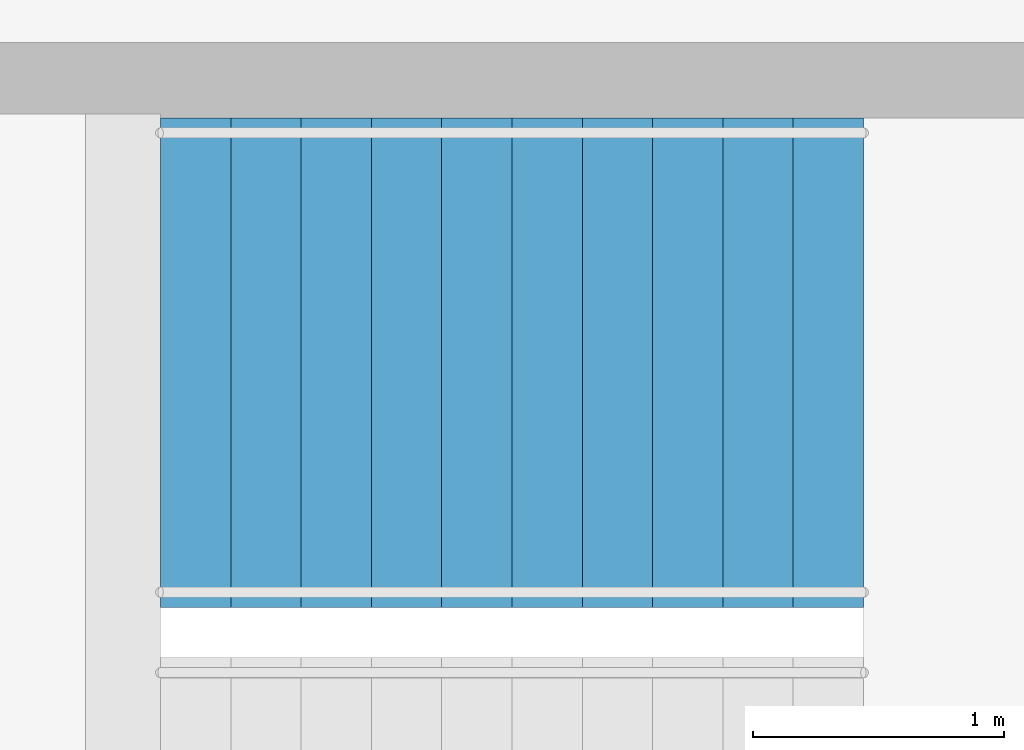
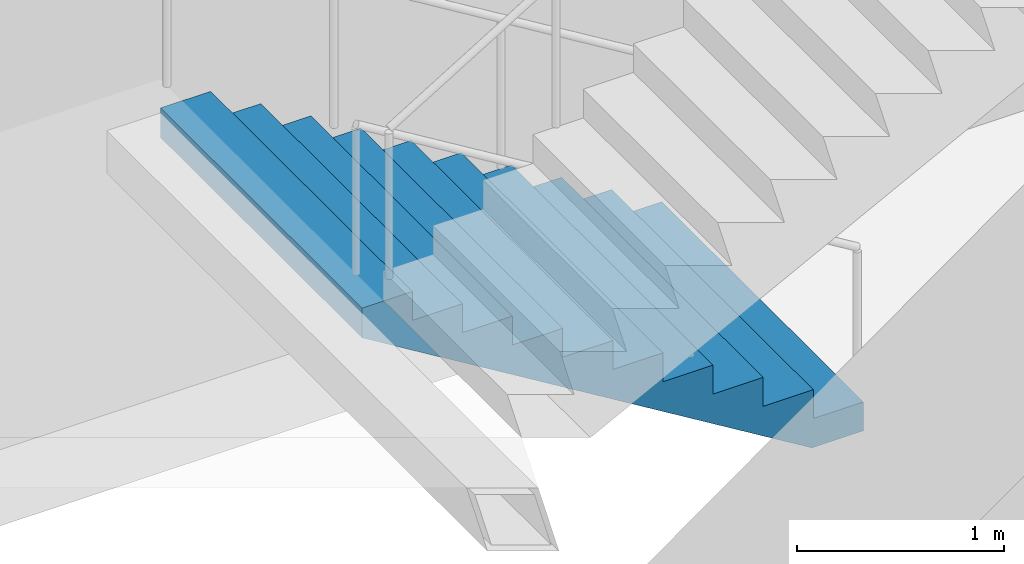
# One storey, part 23 of 26: 1 stair flight, 1 element without a shape of its own.
"""IFC4 building model written with IfcOpenShell, lengths in metres."""

from ifc_helpers import new_model, si_unit, direction, frame, origin, place, context, subcontext, project, spatial, triangles, material, type_object, element, aggregate, save


model = new_model("IFC4")

# Units and contexts
model_context = context("Model", 3, precision=1e-05, world=origin(), true_north=direction((0.0, 1.0)))
body_context = subcontext(model_context, "Body", "Model", "MODEL_VIEW")
ifc_project = project(units=[si_unit("LENGTHUNIT", "METRE"), si_unit("AREAUNIT", "SQUARE_METRE"), si_unit("VOLUMEUNIT", "CUBIC_METRE"), si_unit("PLANEANGLEUNIT", "RADIAN"), si_unit("MASSUNIT", "GRAM", prefix="KILO")], contexts=[model_context])

# Site, building, storey
site_placement = place(None, origin())
site = spatial("IfcSite", under=ifc_project, at=site_placement, CompositionType="ELEMENT")
building_placement = place(site_placement, origin())
building = spatial("IfcBuilding", under=site, at=building_placement, Name="Orbita Commons", CompositionType="ELEMENT")
storey_placement = place(building_placement, frame((0.0, 0.0, 231.550048828125)))
storey = spatial("IfcBuildingStorey", under=building, at=storey_placement, Name="L57", CompositionType="ELEMENT", Elevation=231.550048828125)

# Stair, stair flight
ifc_material_1 = material(Name="Precast concrete C40/50", Category="concrete")
stair_type = type_object("IfcStairType", Name="Exit stair S2 2 flights 11 risers 170", PredefinedType="HALF_TURN_STAIR", material=ifc_material_1)
stair_placement = place(storey_placement, origin())
stair = element("IfcStair", 1, at=stair_placement, inside=storey, type_object=stair_type, Name="Exit stair S2 L57", PredefinedType="HALF_TURN_STAIR")
ifc_material_2 = material(Name="Precast concrete C40/50", Category="concrete")
stair_flight_type = type_object("IfcStairFlightType", Name="Stair flight 11 risers 170 x 280", PredefinedType="STRAIGHT", material=ifc_material_2)
stair_flight_placement = place(storey_placement, frame((63.550048828125, 29.27490234375, 0.0), z_axis=(0.0, 0.0, 1.0), x_axis=(-1.0, 0.0, 0.0)))
stair_flight = element("IfcStairFlight", 2, at=stair_flight_placement, type_object=stair_flight_type, Name="S2 flight 1", NumberOfRisers=11, NumberOfTreads=10, PredefinedType="STRAIGHT", RiserHeight=0.170454545, TreadLength=0.28, context=body_context, shape_type="Tessellation", body=[
    triangles([(0.0, 0.974976, 0.0), (0.0, 0.974976, 0.021307), (0.0, 0.81248, 0.021307), (0.0, 0.81248, 0.0), (0.0, 0.649984, 0.021307), (0.0, 0.649984, 0.0), (0.0, 0.487488, 0.021307), (0.0, 0.487488, 0.0), (0.0, 0.324992, 0.021307), (0.0, 0.324992, 0.0), (0.0, 0.162496, 0.021307), (0.0, 0.162496, 0.0), (0.0, 0.0, 0.021307), (0.0, 0.0, 0.0), (0.0, -0.162496, 0.021307), (0.0, -0.162496, 0.0), (0.0, -0.324992, 0.021307), (0.0, -0.324992, 0.0), (0.0, -0.487488, 0.021307), (0.0, -0.487488, 0.0), (0.0, -0.649984, 0.021307), (0.0, -0.649984, 0.0), (0.0, -0.81248, 0.021307), (0.0, -0.81248, 0.0), (0.0, -0.974976, 0.021307), (0.0, -0.974976, 0.0), (0.0, 0.974976, 0.042614), (0.0, 0.81248, 0.042614), (0.0, 0.649984, 0.042614), (0.0, 0.487488, 0.042614), (0.0, 0.324992, 0.042614), (0.0, 0.162496, 0.042614), (0.0, 0.0, 0.042614), (0.0, -0.162496, 0.042614), (0.0, -0.324992, 0.042614), (0.0, -0.487488, 0.042614), (0.0, -0.649984, 0.042614), (0.0, -0.81248, 0.042614), (0.0, -0.974976, 0.042614), (0.0, 0.974976, 0.06392), (0.0, 0.81248, 0.06392), (0.0, 0.649984, 0.06392), (0.0, 0.487488, 0.06392), (0.0, 0.324992, 0.06392), (0.0, 0.162496, 0.06392), (0.0, 0.0, 0.06392), (0.0, -0.162496, 0.06392), (0.0, -0.324992, 0.06392), (0.0, -0.487488, 0.06392), (0.0, -0.649984, 0.06392), (0.0, -0.81248, 0.06392), (0.0, -0.974976, 0.06392), (0.0, 0.974976, 0.085227), (0.0, 0.81248, 0.085227), (0.0, 0.649984, 0.085227), (0.0, 0.487488, 0.085227), (0.0, 0.324992, 0.085227), (0.0, 0.162496, 0.085227), (0.0, 0.0, 0.085227), (0.0, -0.162496, 0.085227), (0.0, -0.324992, 0.085227), (0.0, -0.487488, 0.085227), (0.0, -0.649984, 0.085227), (0.0, -0.81248, 0.085227), (0.0, -0.974976, 0.085227), (0.0, 0.974976, 0.106534), (0.0, 0.81248, 0.106534), (0.0, 0.649984, 0.106534), (0.0, 0.487488, 0.106534), (0.0, 0.324992, 0.106534), (0.0, 0.162496, 0.106534), (0.0, 0.0, 0.106534), (0.0, -0.162496, 0.106534), (0.0, -0.324992, 0.106534), (0.0, -0.487488, 0.106534), (0.0, -0.649984, 0.106534), (0.0, -0.81248, 0.106534), (0.0, -0.974976, 0.106534), (0.0, 0.974976, 0.127841), (0.0, 0.81248, 0.127841), (0.0, 0.649984, 0.127841), (0.0, 0.487488, 0.127841), (0.0, 0.324992, 0.127841), (0.0, 0.162496, 0.127841), (0.0, 0.0, 0.127841), (0.0, -0.162496, 0.127841), (0.0, -0.324992, 0.127841), (0.0, -0.487488, 0.127841), (0.0, -0.649984, 0.127841), (0.0, -0.81248, 0.127841), (0.0, -0.974976, 0.127841), (0.0, 0.974976, 0.149148), (0.0, 0.81248, 0.149148), (0.0, 0.649984, 0.149148), (0.0, 0.487488, 0.149148), (0.0, 0.324992, 0.149148), (0.0, 0.162496, 0.149148), (0.0, 0.0, 0.149148), (0.0, -0.162496, 0.149148), (0.0, -0.324992, 0.149148), (0.0, -0.487488, 0.149148), (0.0, -0.649984, 0.149148), (0.0, -0.81248, 0.149148), (0.0, -0.974976, 0.149148), (0.0, 0.974976, 0.170455), (0.0, 0.81248, 0.170455), (0.0, 0.649984, 0.170455), (0.0, 0.487488, 0.170455), (0.0, 0.324992, 0.170455), (0.0, 0.162496, 0.170455), (0.0, 0.0, 0.170455), (0.0, -0.162496, 0.170455), (0.0, -0.324992, 0.170455), (0.0, -0.487488, 0.170455), (0.0, -0.649984, 0.170455), (0.0, -0.81248, 0.170455), (0.0, -0.974976, 0.170455), (0.28, 0.974976, 0.170455), (0.28, 0.81248, 0.170455), (0.28, 0.649984, 0.170455), (0.28, 0.487488, 0.170455), (0.28, 0.324992, 0.170455), (0.28, 0.162496, 0.170455), (0.28, 0.0, 0.170455), (0.28, -0.162496, 0.170455), (0.28, -0.324992, 0.170455), (0.28, -0.487488, 0.170455), (0.28, -0.649984, 0.170455), (0.28, -0.81248, 0.170455), (0.28, -0.974976, 0.170455), (0.28, 0.974976, 0.340909), (0.28, 0.81248, 0.340909), (0.28, 0.649984, 0.340909), (0.28, 0.487488, 0.340909), (0.28, 0.324992, 0.340909), (0.28, 0.162496, 0.340909), (0.28, 0.0, 0.340909), (0.28, -0.162496, 0.340909), (0.28, -0.324992, 0.340909), (0.28, -0.487488, 0.340909), (0.28, -0.649984, 0.340909), (0.28, -0.81248, 0.340909), (0.28, -0.974976, 0.340909), (0.56, 0.974976, 0.340909), (0.56, 0.81248, 0.340909), (0.56, 0.649984, 0.340909), (0.56, 0.487488, 0.340909), (0.56, 0.324992, 0.340909), (0.56, 0.162496, 0.340909), (0.56, 0.0, 0.340909), (0.56, -0.162496, 0.340909), (0.56, -0.324992, 0.340909), (0.56, -0.487488, 0.340909), (0.56, -0.649984, 0.340909), (0.56, -0.81248, 0.340909), (0.56, -0.974976, 0.340909), (0.56, 0.974976, 0.511364), (0.56, 0.81248, 0.511364), (0.56, 0.649984, 0.511364), (0.56, 0.487488, 0.511364), (0.56, 0.324992, 0.511364), (0.56, 0.162496, 0.511364), (0.56, 0.0, 0.511364), (0.56, -0.162496, 0.511364), (0.56, -0.324992, 0.511364), (0.56, -0.487488, 0.511364), (0.56, -0.649984, 0.511364), (0.56, -0.81248, 0.511364), (0.56, -0.974976, 0.511364), (0.84, 0.974976, 0.511364), (0.84, 0.81248, 0.511364), (0.84, 0.649984, 0.511364), (0.84, 0.487488, 0.511364), (0.84, 0.324992, 0.511364), (0.84, 0.162496, 0.511364), (0.84, 0.0, 0.511364), (0.84, -0.162496, 0.511364), (0.84, -0.324992, 0.511364), (0.84, -0.487488, 0.511364), (0.84, -0.649984, 0.511364), (0.84, -0.81248, 0.511364), (0.84, -0.974976, 0.511364), (0.84, 0.974976, 0.681818), (0.84, 0.81248, 0.681818), (0.84, 0.649984, 0.681818), (0.84, 0.487488, 0.681818), (0.84, 0.324992, 0.681818), (0.84, 0.162496, 0.681818), (0.84, 0.0, 0.681818), (0.84, -0.162496, 0.681818), (0.84, -0.324992, 0.681818), (0.84, -0.487488, 0.681818), (0.84, -0.649984, 0.681818), (0.84, -0.81248, 0.681818), (0.84, -0.974976, 0.681818), (1.12, 0.974976, 0.681818), (1.12, 0.81248, 0.681818), (1.12, 0.649984, 0.681818), (1.12, 0.487488, 0.681818), (1.12, 0.324992, 0.681818), (1.12, 0.162496, 0.681818), (1.12, 0.0, 0.681818), (1.12, -0.162496, 0.681818), (1.12, -0.324992, 0.681818), (1.12, -0.487488, 0.681818), (1.12, -0.649984, 0.681818), (1.12, -0.81248, 0.681818), (1.12, -0.974976, 0.681818), (1.12, 0.974976, 0.852273), (1.12, 0.81248, 0.852273), (1.12, 0.649984, 0.852273), (1.12, 0.487488, 0.852273), (1.12, 0.324992, 0.852273), (1.12, 0.162496, 0.852273), (1.12, 0.0, 0.852273), (1.12, -0.162496, 0.852273), (1.12, -0.324992, 0.852273), (1.12, -0.487488, 0.852273), (1.12, -0.649984, 0.852273), (1.12, -0.81248, 0.852273), (1.12, -0.974976, 0.852273), (1.4, 0.974976, 0.852273), (1.4, 0.81248, 0.852273), (1.4, 0.649984, 0.852273), (1.4, 0.487488, 0.852273), (1.4, 0.324992, 0.852273), (1.4, 0.162496, 0.852273), (1.4, 0.0, 0.852273), (1.4, -0.162496, 0.852273), (1.4, -0.324992, 0.852273), (1.4, -0.487488, 0.852273), (1.4, -0.649984, 0.852273), (1.4, -0.81248, 0.852273), (1.4, -0.974976, 0.852273), (1.4, 0.974976, 1.022727), (1.4, 0.81248, 1.022727), (1.4, 0.649984, 1.022727), (1.4, 0.487488, 1.022727), (1.4, 0.324992, 1.022727), (1.4, 0.162496, 1.022727), (1.4, 0.0, 1.022727), (1.4, -0.162496, 1.022727), (1.4, -0.324992, 1.022727), (1.4, -0.487488, 1.022727), (1.4, -0.649984, 1.022727), (1.4, -0.81248, 1.022727), (1.4, -0.974976, 1.022727), (1.68, 0.974976, 1.022727), (1.68, 0.81248, 1.022727), (1.68, 0.649984, 1.022727), (1.68, 0.487488, 1.022727), (1.68, 0.324992, 1.022727), (1.68, 0.162496, 1.022727), (1.68, 0.0, 1.022727), (1.68, -0.162496, 1.022727), (1.68, -0.324992, 1.022727), (1.68, -0.487488, 1.022727), (1.68, -0.649984, 1.022727), (1.68, -0.81248, 1.022727), (1.68, -0.974976, 1.022727), (1.68, 0.974976, 1.193182), (1.68, 0.81248, 1.193182), (1.68, 0.649984, 1.193182), (1.68, 0.487488, 1.193182), (1.68, 0.324992, 1.193182), (1.68, 0.162496, 1.193182), (1.68, 0.0, 1.193182), (1.68, -0.162496, 1.193182), (1.68, -0.324992, 1.193182), (1.68, -0.487488, 1.193182), (1.68, -0.649984, 1.193182), (1.68, -0.81248, 1.193182), (1.68, -0.974976, 1.193182), (1.96, 0.974976, 1.193182), (1.96, 0.81248, 1.193182), (1.96, 0.649984, 1.193182), (1.96, 0.487488, 1.193182), (1.96, 0.324992, 1.193182), (1.96, 0.162496, 1.193182), (1.96, 0.0, 1.193182), (1.96, -0.162496, 1.193182), (1.96, -0.324992, 1.193182), (1.96, -0.487488, 1.193182), (1.96, -0.649984, 1.193182), (1.96, -0.81248, 1.193182), (1.96, -0.974976, 1.193182), (1.96, 0.974976, 1.363636), (1.96, 0.81248, 1.363636), (1.96, 0.649984, 1.363636), (1.96, 0.487488, 1.363636), (1.96, 0.324992, 1.363636), (1.96, 0.162496, 1.363636), (1.96, 0.0, 1.363636), (1.96, -0.162496, 1.363636), (1.96, -0.324992, 1.363636), (1.96, -0.487488, 1.363636), (1.96, -0.649984, 1.363636), (1.96, -0.81248, 1.363636), (1.96, -0.974976, 1.363636), (2.24, 0.974976, 1.363636), (2.24, 0.81248, 1.363636), (2.24, 0.649984, 1.363636), (2.24, 0.487488, 1.363636), (2.24, 0.324992, 1.363636), (2.24, 0.162496, 1.363636), (2.24, 0.0, 1.363636), (2.24, -0.162496, 1.363636), (2.24, -0.324992, 1.363636), (2.24, -0.487488, 1.363636), (2.24, -0.649984, 1.363636), (2.24, -0.81248, 1.363636), (2.24, -0.974976, 1.363636), (2.24, 0.974976, 1.534091), (2.24, 0.81248, 1.534091), (2.24, 0.649984, 1.534091), (2.24, 0.487488, 1.534091), (2.24, 0.324992, 1.534091), (2.24, 0.162496, 1.534091), (2.24, 0.0, 1.534091), (2.24, -0.162496, 1.534091), (2.24, -0.324992, 1.534091), (2.24, -0.487488, 1.534091), (2.24, -0.649984, 1.534091), (2.24, -0.81248, 1.534091), (2.24, -0.974976, 1.534091), (2.52, 0.974976, 1.534091), (2.52, 0.81248, 1.534091), (2.52, 0.649984, 1.534091), (2.52, 0.487488, 1.534091), (2.52, 0.324992, 1.534091), (2.52, 0.162496, 1.534091), (2.52, 0.0, 1.534091), (2.52, -0.162496, 1.534091), (2.52, -0.324992, 1.534091), (2.52, -0.487488, 1.534091), (2.52, -0.649984, 1.534091), (2.52, -0.81248, 1.534091), (2.52, -0.974976, 1.534091), (2.52, 0.974976, 1.704545), (2.52, 0.81248, 1.704545), (2.52, 0.649984, 1.704545), (2.52, 0.487488, 1.704545), (2.52, 0.324992, 1.704545), (2.52, 0.162496, 1.704545), (2.52, 0.0, 1.704545), (2.52, -0.162496, 1.704545), (2.52, -0.324992, 1.704545), (2.52, -0.487488, 1.704545), (2.52, -0.649984, 1.704545), (2.52, -0.81248, 1.704545), (2.52, -0.974976, 1.704545), (2.8, 0.974976, 1.704545), (2.8, 0.81248, 1.704545), (2.8, 0.649984, 1.704545), (2.8, 0.487488, 1.704545), (2.8, 0.324992, 1.704545), (2.8, 0.162496, 1.704545), (2.8, 0.0, 1.704545), (2.8, -0.162496, 1.704545), (2.8, -0.324992, 1.704545), (2.8, -0.487488, 1.704545), (2.8, -0.649984, 1.704545), (2.8, -0.81248, 1.704545), (2.8, -0.974976, 1.704545), (2.8, 0.974976, 1.682609), (2.8, 0.81248, 1.682609), (2.8, 0.649984, 1.682609), (2.8, 0.487488, 1.682609), (2.8, 0.324992, 1.682609), (2.8, 0.162496, 1.682609), (2.8, 0.0, 1.682609), (2.8, -0.162496, 1.682609), (2.8, -0.324992, 1.682609), (2.8, -0.487488, 1.682609), (2.8, -0.649984, 1.682609), (2.8, -0.81248, 1.682609), (2.8, -0.974976, 1.682609), (2.8, 0.974976, 1.660672), (2.8, 0.81248, 1.660672), (2.8, 0.649984, 1.660672), (2.8, 0.487488, 1.660672), (2.8, 0.324992, 1.660672), (2.8, 0.162496, 1.660672), (2.8, 0.0, 1.660672), (2.8, -0.162496, 1.660672), (2.8, -0.324992, 1.660672), (2.8, -0.487488, 1.660672), (2.8, -0.649984, 1.660672), (2.8, -0.81248, 1.660672), (2.8, -0.974976, 1.660672), (2.8, 0.974976, 1.638735), (2.8, 0.81248, 1.638735), (2.8, 0.649984, 1.638735), (2.8, 0.487488, 1.638735), (2.8, 0.324992, 1.638735), (2.8, 0.162496, 1.638735), (2.8, 0.0, 1.638735), (2.8, -0.162496, 1.638735), (2.8, -0.324992, 1.638735), (2.8, -0.487488, 1.638735), (2.8, -0.649984, 1.638735), (2.8, -0.81248, 1.638735), (2.8, -0.974976, 1.638735), (2.8, 0.974976, 1.616798), (2.8, 0.81248, 1.616798), (2.8, 0.649984, 1.616798), (2.8, 0.487488, 1.616798), (2.8, 0.324992, 1.616798), (2.8, 0.162496, 1.616798), (2.8, 0.0, 1.616798), (2.8, -0.162496, 1.616798), (2.8, -0.324992, 1.616798), (2.8, -0.487488, 1.616798), (2.8, -0.649984, 1.616798), (2.8, -0.81248, 1.616798), (2.8, -0.974976, 1.616798), (2.8, 0.974976, 1.594861), (2.8, 0.81248, 1.594861), (2.8, 0.649984, 1.594861), (2.8, 0.487488, 1.594861), (2.8, 0.324992, 1.594861), (2.8, 0.162496, 1.594861), (2.8, 0.0, 1.594861), (2.8, -0.162496, 1.594861), (2.8, -0.324992, 1.594861), (2.8, -0.487488, 1.594861), (2.8, -0.649984, 1.594861), (2.8, -0.81248, 1.594861), (2.8, -0.974976, 1.594861), (2.8, 0.974976, 1.572925), (2.8, 0.81248, 1.572925), (2.8, 0.649984, 1.572925), (2.8, 0.487488, 1.572925), (2.8, 0.324992, 1.572925), (2.8, 0.162496, 1.572925), (2.8, 0.0, 1.572925), (2.8, -0.162496, 1.572925), (2.8, -0.324992, 1.572925), (2.8, -0.487488, 1.572925), (2.8, -0.649984, 1.572925), (2.8, -0.81248, 1.572925), (2.8, -0.974976, 1.572925), (2.8, 0.974976, 1.550988), (2.8, 0.81248, 1.550988), (2.8, 0.649984, 1.550988), (2.8, 0.487488, 1.550988), (2.8, 0.324992, 1.550988), (2.8, 0.162496, 1.550988), (2.8, 0.0, 1.550988), (2.8, -0.162496, 1.550988), (2.8, -0.324992, 1.550988), (2.8, -0.487488, 1.550988), (2.8, -0.649984, 1.550988), (2.8, -0.81248, 1.550988), (2.8, -0.974976, 1.550988), (2.8, 0.974976, 1.529051), (2.8, 0.81248, 1.529051), (2.8, 0.649984, 1.529051), (2.8, 0.487488, 1.529051), (2.8, 0.324992, 1.529051), (2.8, 0.162496, 1.529051), (2.8, 0.0, 1.529051), (2.8, -0.162496, 1.529051), (2.8, -0.324992, 1.529051), (2.8, -0.487488, 1.529051), (2.8, -0.649984, 1.529051), (2.8, -0.81248, 1.529051), (2.8, -0.974976, 1.529051), (0.288279, 0.974976, 0.0), (0.288279, 0.81248, 0.0), (0.288279, 0.649984, 0.0), (0.288279, 0.487488, 0.0), (0.288279, 0.324992, 0.0), (0.288279, 0.162496, 0.0), (0.288279, 0.0, 0.0), (0.288279, -0.162496, 0.0), (0.288279, -0.324992, 0.0), (0.288279, -0.487488, 0.0), (0.288279, -0.649984, 0.0), (0.288279, -0.81248, 0.0), (0.288279, -0.974976, 0.0)], [[3, 2, 1], [4, 3, 1], [5, 3, 4], [6, 5, 4], [7, 5, 6], [8, 7, 6], [9, 7, 8], [10, 9, 8], [11, 9, 10], [12, 11, 10], [13, 11, 12], [14, 13, 12], [15, 13, 14], [16, 15, 14], [17, 15, 16], [18, 17, 16], [19, 17, 18], [20, 19, 18], [21, 19, 20], [22, 21, 20], [23, 21, 22], [24, 23, 22], [25, 23, 24], [26, 25, 24], [28, 27, 2], [3, 28, 2], [29, 28, 3], [5, 29, 3], [30, 29, 5], [7, 30, 5], [31, 30, 7], [9, 31, 7], [32, 31, 9], [11, 32, 9], [33, 32, 11], [13, 33, 11], [34, 33, 13], [15, 34, 13], [35, 34, 15], [17, 35, 15], [36, 35, 17], [19, 36, 17], [37, 36, 19], [21, 37, 19], [38, 37, 21], [23, 38, 21], [39, 38, 23], [25, 39, 23], [41, 40, 27], [28, 41, 27], [42, 41, 28], [29, 42, 28], [43, 42, 29], [30, 43, 29], [44, 43, 30], [31, 44, 30], [45, 44, 31], [32, 45, 31], [46, 45, 32], [33, 46, 32], [47, 46, 33], [34, 47, 33], [48, 47, 34], [35, 48, 34], [49, 48, 35], [36, 49, 35], [50, 49, 36], [37, 50, 36], [51, 50, 37], [38, 51, 37], [52, 51, 38], [39, 52, 38], [54, 53, 40], [41, 54, 40], [55, 54, 41], [42, 55, 41], [56, 55, 42], [43, 56, 42], [57, 56, 43], [44, 57, 43], [58, 57, 44], [45, 58, 44], [59, 58, 45], [46, 59, 45], [60, 59, 46], [47, 60, 46], [61, 60, 47], [48, 61, 47], [62, 61, 48], [49, 62, 48], [63, 62, 49], [50, 63, 49], [64, 63, 50], [51, 64, 50], [65, 64, 51], [52, 65, 51], [67, 66, 53], [54, 67, 53], [68, 67, 54], [55, 68, 54], [69, 68, 55], [56, 69, 55], [70, 69, 56], [57, 70, 56], [71, 70, 57], [58, 71, 57], [72, 71, 58], [59, 72, 58], [73, 72, 59], [60, 73, 59], [74, 73, 60], [61, 74, 60], [75, 74, 61], [62, 75, 61], [76, 75, 62], [63, 76, 62], [77, 76, 63], [64, 77, 63], [78, 77, 64], [65, 78, 64], [80, 79, 66], [67, 80, 66], [81, 80, 67], [68, 81, 67], [82, 81, 68], [69, 82, 68], [83, 82, 69], [70, 83, 69], [84, 83, 70], [71, 84, 70], [85, 84, 71], [72, 85, 71], [86, 85, 72], [73, 86, 72], [87, 86, 73], [74, 87, 73], [88, 87, 74], [75, 88, 74], [89, 88, 75], [76, 89, 75], [90, 89, 76], [77, 90, 76], [91, 90, 77], [78, 91, 77], [93, 92, 79], [80, 93, 79], [94, 93, 80], [81, 94, 80], [95, 94, 81], [82, 95, 81], [96, 95, 82], [83, 96, 82], [97, 96, 83], [84, 97, 83], [98, 97, 84], [85, 98, 84], [99, 98, 85], [86, 99, 85], [100, 99, 86], [87, 100, 86], [101, 100, 87], [88, 101, 87], [102, 101, 88], [89, 102, 88], [103, 102, 89], [90, 103, 89], [104, 103, 90], [91, 104, 90], [106, 105, 92], [93, 106, 92], [107, 106, 93], [94, 107, 93], [108, 107, 94], [95, 108, 94], [109, 108, 95], [96, 109, 95], [110, 109, 96], [97, 110, 96], [111, 110, 97], [98, 111, 97], [112, 111, 98], [99, 112, 98], [113, 112, 99], [100, 113, 99], [114, 113, 100], [101, 114, 100], [115, 114, 101], [102, 115, 101], [116, 115, 102], [103, 116, 102], [117, 116, 103], [104, 117, 103], [119, 118, 105], [106, 119, 105], [120, 119, 106], [107, 120, 106], [121, 120, 107], [108, 121, 107], [122, 121, 108], [109, 122, 108], [123, 122, 109], [110, 123, 109], [124, 123, 110], [111, 124, 110], [125, 124, 111], [112, 125, 111], [126, 125, 112], [113, 126, 112], [127, 126, 113], [114, 127, 113], [128, 127, 114], [115, 128, 114], [129, 128, 115], [116, 129, 115], [130, 129, 116], [117, 130, 116], [132, 131, 118], [119, 132, 118], [133, 132, 119], [120, 133, 119], [134, 133, 120], [121, 134, 120], [135, 134, 121], [122, 135, 121], [136, 135, 122], [123, 136, 122], [137, 136, 123], [124, 137, 123], [138, 137, 124], [125, 138, 124], [139, 138, 125], [126, 139, 125], [140, 139, 126], [127, 140, 126], [141, 140, 127], [128, 141, 127], [142, 141, 128], [129, 142, 128], [143, 142, 129], [130, 143, 129], [145, 144, 131], [132, 145, 131], [146, 145, 132], [133, 146, 132], [147, 146, 133], [134, 147, 133], [148, 147, 134], [135, 148, 134], [149, 148, 135], [136, 149, 135], [150, 149, 136], [137, 150, 136], [151, 150, 137], [138, 151, 137], [152, 151, 138], [139, 152, 138], [153, 152, 139], [140, 153, 139], [154, 153, 140], [141, 154, 140], [155, 154, 141], [142, 155, 141], [156, 155, 142], [143, 156, 142], [158, 157, 144], [145, 158, 144], [159, 158, 145], [146, 159, 145], [160, 159, 146], [147, 160, 146], [161, 160, 147], [148, 161, 147], [162, 161, 148], [149, 162, 148], [163, 162, 149], [150, 163, 149], [164, 163, 150], [151, 164, 150], [165, 164, 151], [152, 165, 151], [166, 165, 152], [153, 166, 152], [167, 166, 153], [154, 167, 153], [168, 167, 154], [155, 168, 154], [169, 168, 155], [156, 169, 155], [171, 170, 157], [158, 171, 157], [172, 171, 158], [159, 172, 158], [173, 172, 159], [160, 173, 159], [174, 173, 160], [161, 174, 160], [175, 174, 161], [162, 175, 161], [176, 175, 162], [163, 176, 162], [177, 176, 163], [164, 177, 163], [178, 177, 164], [165, 178, 164], [179, 178, 165], [166, 179, 165], [180, 179, 166], [167, 180, 166], [181, 180, 167], [168, 181, 167], [182, 181, 168], [169, 182, 168], [184, 183, 170], [171, 184, 170], [185, 184, 171], [172, 185, 171], [186, 185, 172], [173, 186, 172], [187, 186, 173], [174, 187, 173], [188, 187, 174], [175, 188, 174], [189, 188, 175], [176, 189, 175], [190, 189, 176], [177, 190, 176], [191, 190, 177], [178, 191, 177], [192, 191, 178], [179, 192, 178], [193, 192, 179], [180, 193, 179], [194, 193, 180], [181, 194, 180], [195, 194, 181], [182, 195, 181], [197, 196, 183], [184, 197, 183], [198, 197, 184], [185, 198, 184], [199, 198, 185], [186, 199, 185], [200, 199, 186], [187, 200, 186], [201, 200, 187], [188, 201, 187], [202, 201, 188], [189, 202, 188], [203, 202, 189], [190, 203, 189], [204, 203, 190], [191, 204, 190], [205, 204, 191], [192, 205, 191], [206, 205, 192], [193, 206, 192], [207, 206, 193], [194, 207, 193], [208, 207, 194], [195, 208, 194], [210, 209, 196], [197, 210, 196], [211, 210, 197], [198, 211, 197], [212, 211, 198], [199, 212, 198], [213, 212, 199], [200, 213, 199], [214, 213, 200], [201, 214, 200], [215, 214, 201], [202, 215, 201], [216, 215, 202], [203, 216, 202], [217, 216, 203], [204, 217, 203], [218, 217, 204], [205, 218, 204], [219, 218, 205], [206, 219, 205], [220, 219, 206], [207, 220, 206], [221, 220, 207], [208, 221, 207], [223, 222, 209], [210, 223, 209], [224, 223, 210], [211, 224, 210], [225, 224, 211], [212, 225, 211], [226, 225, 212], [213, 226, 212], [227, 226, 213], [214, 227, 213], [228, 227, 214], [215, 228, 214], [229, 228, 215], [216, 229, 215], [230, 229, 216], [217, 230, 216], [231, 230, 217], [218, 231, 217], [232, 231, 218], [219, 232, 218], [233, 232, 219], [220, 233, 219], [234, 233, 220], [221, 234, 220], [236, 235, 222], [223, 236, 222], [237, 236, 223], [224, 237, 223], [238, 237, 224], [225, 238, 224], [239, 238, 225], [226, 239, 225], [240, 239, 226], [227, 240, 226], [241, 240, 227], [228, 241, 227], [242, 241, 228], [229, 242, 228], [243, 242, 229], [230, 243, 229], [244, 243, 230], [231, 244, 230], [245, 244, 231], [232, 245, 231], [246, 245, 232], [233, 246, 232], [247, 246, 233], [234, 247, 233], [249, 248, 235], [236, 249, 235], [250, 249, 236], [237, 250, 236], [251, 250, 237], [238, 251, 237], [252, 251, 238], [239, 252, 238], [253, 252, 239], [240, 253, 239], [254, 253, 240], [241, 254, 240], [255, 254, 241], [242, 255, 241], [256, 255, 242], [243, 256, 242], [257, 256, 243], [244, 257, 243], [258, 257, 244], [245, 258, 244], [259, 258, 245], [246, 259, 245], [260, 259, 246], [247, 260, 246], [262, 261, 248], [249, 262, 248], [263, 262, 249], [250, 263, 249], [264, 263, 250], [251, 264, 250], [265, 264, 251], [252, 265, 251], [266, 265, 252], [253, 266, 252], [267, 266, 253], [254, 267, 253], [268, 267, 254], [255, 268, 254], [269, 268, 255], [256, 269, 255], [270, 269, 256], [257, 270, 256], [271, 270, 257], [258, 271, 257], [272, 271, 258], [259, 272, 258], [273, 272, 259], [260, 273, 259], [275, 274, 261], [262, 275, 261], [276, 275, 262], [263, 276, 262], [277, 276, 263], [264, 277, 263], [278, 277, 264], [265, 278, 264], [279, 278, 265], [266, 279, 265], [280, 279, 266], [267, 280, 266], [281, 280, 267], [268, 281, 267], [282, 281, 268], [269, 282, 268], [283, 282, 269], [270, 283, 269], [284, 283, 270], [271, 284, 270], [285, 284, 271], [272, 285, 271], [286, 285, 272], [273, 286, 272], [288, 287, 274], [275, 288, 274], [289, 288, 275], [276, 289, 275], [290, 289, 276], [277, 290, 276], [291, 290, 277], [278, 291, 277], [292, 291, 278], [279, 292, 278], [293, 292, 279], [280, 293, 279], [294, 293, 280], [281, 294, 280], [295, 294, 281], [282, 295, 281], [296, 295, 282], [283, 296, 282], [297, 296, 283], [284, 297, 283], [298, 297, 284], [285, 298, 284], [299, 298, 285], [286, 299, 285], [301, 300, 287], [288, 301, 287], [302, 301, 288], [289, 302, 288], [303, 302, 289], [290, 303, 289], [304, 303, 290], [291, 304, 290], [305, 304, 291], [292, 305, 291], [306, 305, 292], [293, 306, 292], [307, 306, 293], [294, 307, 293], [308, 307, 294], [295, 308, 294], [309, 308, 295], [296, 309, 295], [310, 309, 296], [297, 310, 296], [311, 310, 297], [298, 311, 297], [312, 311, 298], [299, 312, 298], [314, 313, 300], [301, 314, 300], [315, 314, 301], [302, 315, 301], [316, 315, 302], [303, 316, 302], [317, 316, 303], [304, 317, 303], [318, 317, 304], [305, 318, 304], [319, 318, 305], [306, 319, 305], [320, 319, 306], [307, 320, 306], [321, 320, 307], [308, 321, 307], [322, 321, 308], [309, 322, 308], [323, 322, 309], [310, 323, 309], [324, 323, 310], [311, 324, 310], [325, 324, 311], [312, 325, 311], [327, 326, 313], [314, 327, 313], [328, 327, 314], [315, 328, 314], [329, 328, 315], [316, 329, 315], [330, 329, 316], [317, 330, 316], [331, 330, 317], [318, 331, 317], [332, 331, 318], [319, 332, 318], [333, 332, 319], [320, 333, 319], [334, 333, 320], [321, 334, 320], [335, 334, 321], [322, 335, 321], [336, 335, 322], [323, 336, 322], [337, 336, 323], [324, 337, 323], [338, 337, 324], [325, 338, 324], [340, 339, 326], [327, 340, 326], [341, 340, 327], [328, 341, 327], [342, 341, 328], [329, 342, 328], [343, 342, 329], [330, 343, 329], [344, 343, 330], [331, 344, 330], [345, 344, 331], [332, 345, 331], [346, 345, 332], [333, 346, 332], [347, 346, 333], [334, 347, 333], [348, 347, 334], [335, 348, 334], [349, 348, 335], [336, 349, 335], [350, 349, 336], [337, 350, 336], [351, 350, 337], [338, 351, 337], [353, 352, 339], [340, 353, 339], [354, 353, 340], [341, 354, 340], [355, 354, 341], [342, 355, 341], [356, 355, 342], [343, 356, 342], [357, 356, 343], [344, 357, 343], [358, 357, 344], [345, 358, 344], [359, 358, 345], [346, 359, 345], [360, 359, 346], [347, 360, 346], [361, 360, 347], [348, 361, 347], [362, 361, 348], [349, 362, 348], [363, 362, 349], [350, 363, 349], [364, 363, 350], [351, 364, 350], [366, 365, 352], [353, 366, 352], [367, 366, 353], [354, 367, 353], [368, 367, 354], [355, 368, 354], [369, 368, 355], [356, 369, 355], [370, 369, 356], [357, 370, 356], [371, 370, 357], [358, 371, 357], [372, 371, 358], [359, 372, 358], [373, 372, 359], [360, 373, 359], [374, 373, 360], [361, 374, 360], [375, 374, 361], [362, 375, 361], [376, 375, 362], [363, 376, 362], [377, 376, 363], [364, 377, 363], [379, 378, 365], [366, 379, 365], [380, 379, 366], [367, 380, 366], [381, 380, 367], [368, 381, 367], [382, 381, 368], [369, 382, 368], [383, 382, 369], [370, 383, 369], [384, 383, 370], [371, 384, 370], [385, 384, 371], [372, 385, 371], [386, 385, 372], [373, 386, 372], [387, 386, 373], [374, 387, 373], [388, 387, 374], [375, 388, 374], [389, 388, 375], [376, 389, 375], [390, 389, 376], [377, 390, 376], [392, 391, 378], [379, 392, 378], [393, 392, 379], [380, 393, 379], [394, 393, 380], [381, 394, 380], [395, 394, 381], [382, 395, 381], [396, 395, 382], [383, 396, 382], [397, 396, 383], [384, 397, 383], [398, 397, 384], [385, 398, 384], [399, 398, 385], [386, 399, 385], [400, 399, 386], [387, 400, 386], [401, 400, 387], [388, 401, 387], [402, 401, 388], [389, 402, 388], [403, 402, 389], [390, 403, 389], [405, 404, 391], [392, 405, 391], [406, 405, 392], [393, 406, 392], [407, 406, 393], [394, 407, 393], [408, 407, 394], [395, 408, 394], [409, 408, 395], [396, 409, 395], [410, 409, 396], [397, 410, 396], [411, 410, 397], [398, 411, 397], [412, 411, 398], [399, 412, 398], [413, 412, 399], [400, 413, 399], [414, 413, 400], [401, 414, 400], [415, 414, 401], [402, 415, 401], [416, 415, 402], [403, 416, 402], [418, 417, 404], [405, 418, 404], [419, 418, 405], [406, 419, 405], [420, 419, 406], [407, 420, 406], [421, 420, 407], [408, 421, 407], [422, 421, 408], [409, 422, 408], [423, 422, 409], [410, 423, 409], [424, 423, 410], [411, 424, 410], [425, 424, 411], [412, 425, 411], [426, 425, 412], [413, 426, 412], [427, 426, 413], [414, 427, 413], [428, 427, 414], [415, 428, 414], [429, 428, 415], [416, 429, 415], [431, 430, 417], [418, 431, 417], [432, 431, 418], [419, 432, 418], [433, 432, 419], [420, 433, 419], [434, 433, 420], [421, 434, 420], [435, 434, 421], [422, 435, 421], [436, 435, 422], [423, 436, 422], [437, 436, 423], [424, 437, 423], [438, 437, 424], [425, 438, 424], [439, 438, 425], [426, 439, 425], [440, 439, 426], [427, 440, 426], [441, 440, 427], [428, 441, 427], [442, 441, 428], [429, 442, 428], [444, 443, 430], [431, 444, 430], [445, 444, 431], [432, 445, 431], [446, 445, 432], [433, 446, 432], [447, 446, 433], [434, 447, 433], [448, 447, 434], [435, 448, 434], [449, 448, 435], [436, 449, 435], [450, 449, 436], [437, 450, 436], [451, 450, 437], [438, 451, 437], [452, 451, 438], [439, 452, 438], [453, 452, 439], [440, 453, 439], [454, 453, 440], [441, 454, 440], [455, 454, 441], [442, 455, 441], [457, 456, 443], [444, 457, 443], [458, 457, 444], [445, 458, 444], [459, 458, 445], [446, 459, 445], [460, 459, 446], [447, 460, 446], [461, 460, 447], [448, 461, 447], [462, 461, 448], [449, 462, 448], [463, 462, 449], [450, 463, 449], [464, 463, 450], [451, 464, 450], [465, 464, 451], [452, 465, 451], [466, 465, 452], [453, 466, 452], [467, 466, 453], [454, 467, 453], [468, 467, 454], [455, 468, 454], [470, 469, 456], [457, 470, 456], [471, 470, 457], [458, 471, 457], [472, 471, 458], [459, 472, 458], [473, 472, 459], [460, 473, 459], [474, 473, 460], [461, 474, 460], [475, 474, 461], [462, 475, 461], [476, 475, 462], [463, 476, 462], [477, 476, 463], [464, 477, 463], [478, 477, 464], [465, 478, 464], [479, 478, 465], [466, 479, 465], [480, 479, 466], [467, 480, 466], [481, 480, 467], [468, 481, 467], [4, 1, 469], [470, 4, 469], [6, 4, 470], [471, 6, 470], [8, 6, 471], [472, 8, 471], [10, 8, 472], [473, 10, 472], [12, 10, 473], [474, 12, 473], [14, 12, 474], [475, 14, 474], [16, 14, 475], [476, 16, 475], [18, 16, 476], [477, 18, 476], [20, 18, 477], [478, 20, 477], [22, 20, 478], [479, 22, 478], [24, 22, 479], [480, 24, 479], [26, 24, 480], [481, 26, 480], [456, 469, 1], [26, 481, 468], [443, 456, 1], [26, 468, 455], [430, 443, 1], [26, 455, 442], [417, 430, 1], [26, 442, 429], [404, 417, 1], [26, 429, 416], [391, 404, 1], [26, 416, 403], [378, 391, 1], [26, 403, 390], [365, 378, 1], [26, 390, 377], [339, 352, 365], [377, 364, 351], [326, 339, 365], [377, 351, 338], [300, 313, 326], [338, 325, 312], [300, 326, 365], [377, 338, 312], [274, 287, 300], [312, 299, 286], [274, 300, 365], [377, 312, 286], [248, 261, 274], [286, 273, 260], [248, 274, 365], [377, 286, 260], [222, 235, 248], [260, 247, 234], [222, 248, 365], [377, 260, 234], [196, 209, 222], [234, 221, 208], [196, 222, 365], [377, 234, 208], [170, 183, 196], [208, 195, 182], [170, 196, 365], [377, 208, 182], [144, 157, 170], [182, 169, 156], [144, 170, 365], [377, 182, 156], [118, 131, 144], [156, 143, 130], [118, 144, 365], [377, 156, 130], [118, 365, 1], [26, 377, 130], [92, 105, 118], [130, 117, 104], [79, 92, 118], [130, 104, 91], [66, 79, 118], [130, 91, 78], [53, 66, 118], [130, 78, 65], [40, 53, 118], [130, 65, 52], [27, 40, 118], [130, 52, 39], [2, 27, 118], [130, 39, 25], [1, 2, 118], [130, 25, 26]], closed=True),
])
aggregate(stair, [stair_flight])

save(model, "model.ifc")
